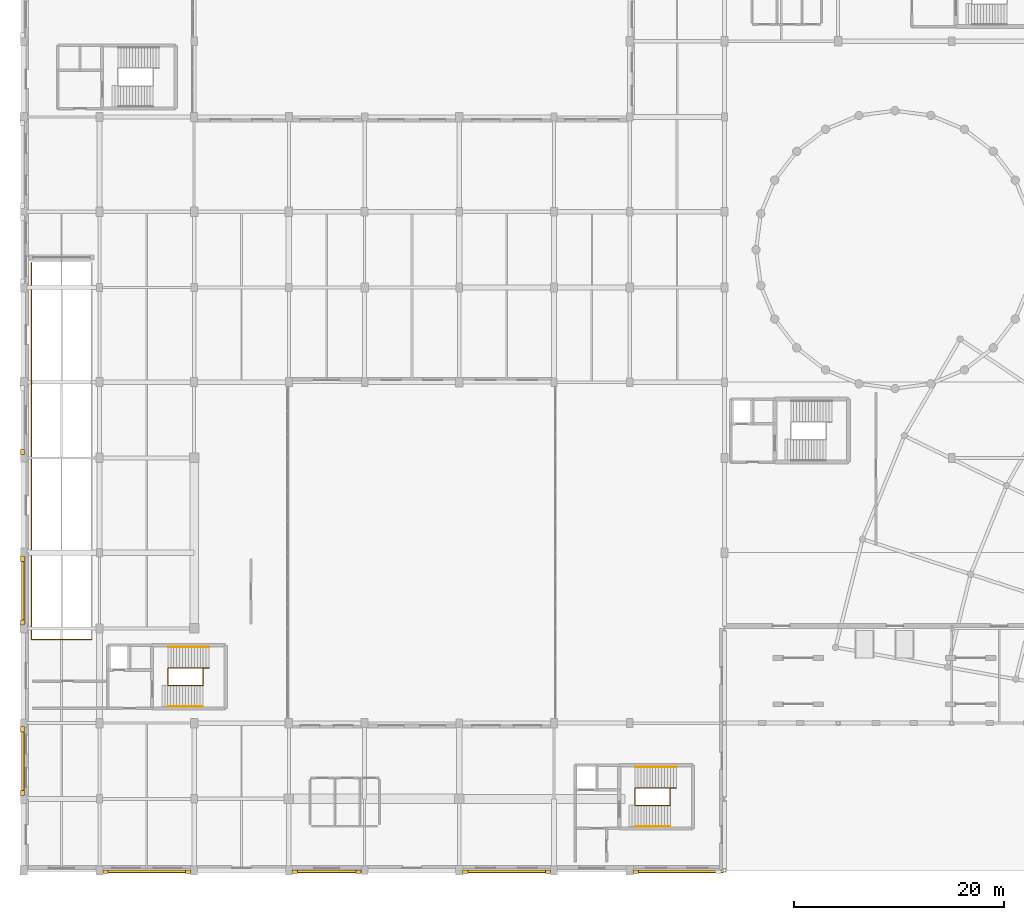
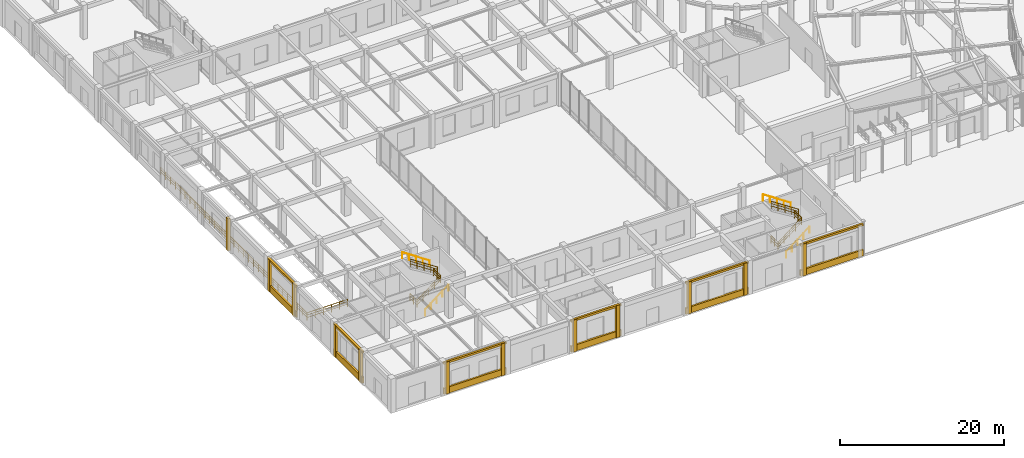
# One storey, part 58 of 64: 24 coverings, 14 railings.
"""IFC4 building model written with IfcOpenShell, lengths in metres."""

import ifcopenshell
import ifcopenshell.guid

model = None  # the IFC model being written
_history = None  # IfcOwnerHistory: only IFC2X3 demands one
_inside = {}  # id of a spatial element -> (the spatial element, [elements in it])
_under = {}  # id of a project, library or spatial element -> (it, [spatial elements below it])
_declared = {}  # id of a project -> (the project, [libraries it declares])
_typed = {}  # id of a type object -> (the type object, [elements of that type])
_made_of = {}  # id of a material, layer set ... -> (it, [elements and type objects made of it])


def new_model(schema):
    """Start an empty IFC model of exactly this schema.

    Asked for "IFC4X3", IfcOpenShell would pick the latest addendum, in which some entities
    have other attributes; the version numbers below select the first issue.
    IFC2X3 requires an IfcOwnerHistory on every rooted entity: one is made here for all.
    """
    global model, _history
    if schema == "IFC4X3":
        model = ifcopenshell.file(schema_version=(4, 3, 0, 0))
    else:
        model = ifcopenshell.file(schema=schema)
    _inside.clear()
    _under.clear()
    _declared.clear()
    _typed.clear()
    _made_of.clear()
    _history = None
    if model.schema == "IFC2X3":
        org = make("IfcOrganization", Name="unknown")
        user = make(
            "IfcPersonAndOrganization",
            ThePerson=make("IfcPerson", FamilyName="unknown"),
            TheOrganization=org,
        )
        app = make(
            "IfcApplication",
            ApplicationDeveloper=org,
            Version="unknown",
            ApplicationFullName="unknown",
            ApplicationIdentifier="unknown",
        )
        _history = make(
            "IfcOwnerHistory",
            OwningUser=user,
            OwningApplication=app,
            ChangeAction="ADDED",
            CreationDate=0,
        )
    return model


def make(cls, **values):
    """One entity of the class cls with the attributes given. An attribute that is None is left unset."""
    return model.create_entity(
        cls, **{name: value for name, value in values.items() if value is not None}
    )


def rooted(cls, **values):
    """An entity with a GlobalId (a new one), such as an element, a storey or a relation."""
    return make(cls, GlobalId=ifcopenshell.guid.new(), OwnerHistory=_history, **values)


def si_unit(unit_type, name, prefix=None):
    """IfcSIUnit, for example si_unit("LENGTHUNIT", "METRE", prefix="MILLI")."""
    return make("IfcSIUnit", UnitType=unit_type, Prefix=prefix, Name=name)


def assignment(units):
    """IfcUnitAssignment: the units of a project."""
    return None if units is None else make("IfcUnitAssignment", Units=units)


def point(xyz):
    """IfcCartesianPoint."""
    return None if xyz is None else make("IfcCartesianPoint", Coordinates=xyz)


def direction(xyz):
    """IfcDirection."""
    return None if xyz is None else make("IfcDirection", DirectionRatios=xyz)


def frame(location, z_axis=None, x_axis=None):
    """IfcAxis2Placement3D, a coordinate frame: its origin and axes. An axis left out is left unset."""
    return make(
        "IfcAxis2Placement3D",
        Location=point(location),
        Axis=direction(z_axis),
        RefDirection=direction(x_axis),
    )


def frame_2d(location, x_axis=None):
    """IfcAxis2Placement2D, a coordinate frame in the plane: its origin and x axis."""
    return make(
        "IfcAxis2Placement2D", Location=point(location), RefDirection=direction(x_axis)
    )


def origin():
    """The frame at (0, 0, 0) with its axes left unset."""
    return frame((0.0, 0.0, 0.0))


def origin_2d():
    """The frame at (0, 0) in the plane with its x axis left unset."""
    return frame_2d((0.0, 0.0))


def place(relative_to, where):
    """IfcLocalPlacement: puts the frame where relative to a parent placement (None: the world)."""
    return make(
        "IfcLocalPlacement", PlacementRelTo=relative_to, RelativePlacement=where
    )


def context(
    kind, dimensions, precision=None, world=None, true_north=None, identifier=None
):
    """IfcGeometricRepresentationContext, for example the 3D "Model" context."""
    return make(
        "IfcGeometricRepresentationContext",
        ContextIdentifier=identifier,
        ContextType=kind,
        CoordinateSpaceDimension=dimensions,
        Precision=precision,
        WorldCoordinateSystem=world,
        TrueNorth=true_north,
    )


def subcontext(parent, identifier, kind, view, scale=None):
    """IfcGeometricRepresentationSubContext, for example "Body" below "Model"."""
    return make(
        "IfcGeometricRepresentationSubContext",
        ContextIdentifier=identifier,
        ContextType=kind,
        ParentContext=parent,
        TargetScale=scale,
        TargetView=view,
    )


def project(units=None, contexts=None):
    """IfcProject with its units and contexts."""
    return rooted(
        "IfcProject",
        Name="project",
        RepresentationContexts=contexts,
        UnitsInContext=assignment(units),
    )


def spatial(cls, under=None, at=None, **own):
    """A site, building, storey or space (cls), placed at a placement, below another one or the project."""
    s = rooted(cls, ObjectPlacement=at, **own)
    if under is not None:
        _under.setdefault(under.id(), (under, []))[1].append(s)
    return s


def profile(cls, at=None, kind="AREA", **sizes):
    """A parametric profile (cls). Its sizes go by their IFC names, for example OverallWidth=200.0."""
    return make(cls, ProfileType=kind, Position=at, **sizes)


def rectangle(**sizes):
    """IfcRectangleProfileDef."""
    return profile("IfcRectangleProfileDef", **sizes)


def circle(**sizes):
    """IfcCircleProfileDef."""
    return profile("IfcCircleProfileDef", **sizes)


def extrude(swept, where, along, depth):
    """IfcExtrudedAreaSolid: the profile swept, set in the frame where, extruded along a direction by depth."""
    return make(
        "IfcExtrudedAreaSolid",
        SweptArea=swept,
        Position=where,
        ExtrudedDirection=direction(along),
        Depth=depth,
    )


def shape(context_of_items, identifier, shape_type, items):
    """IfcShapeRepresentation: the items that make up one representation, for example the "Body"."""
    return make(
        "IfcShapeRepresentation",
        ContextOfItems=context_of_items,
        RepresentationIdentifier=identifier,
        RepresentationType=shape_type,
        Items=items,
    )


def material(Name=None, Category=None):
    """IfcMaterial."""
    return make("IfcMaterial", Name=Name, Category=Category)


def layer(
    of_material, thickness, ventilated=None, Name=None, Category=None, Priority=None
):
    """IfcMaterialLayer: one layer of a wall or slab, of a material (None: an air gap)."""
    return make(
        "IfcMaterialLayer",
        Material=of_material,
        LayerThickness=thickness,
        IsVentilated=ventilated,
        Name=Name,
        Category=Category,
        Priority=Priority,
    )


def layer_set(layers, Name=None):
    """IfcMaterialLayerSet."""
    return make("IfcMaterialLayerSet", MaterialLayers=layers, LayerSetName=Name)


def made_of(thing, what):
    """Note that an element or type object is made of a material, layer set ...; save() writes the relation."""
    if what is not None:
        _made_of.setdefault(what.id(), (what, []))[1].append(thing)
    return thing


def type_object(cls, material=None, **own):
    """A type object (cls), such as IfcWallType, which elements share."""
    return made_of(rooted(cls, **own), material)


def element(
    cls,
    number,
    at=None,
    inside=None,
    cuts=None,
    type_object=None,
    material=None,
    context=None,
    identifier="Body",
    shape_type=None,
    held_by="IfcProductDefinitionShape",
    body=None,
    shapes=None,
    **own,
):
    """One element of the class cls, such as IfcWall. Its Tag is "e" and its number.

    at: its placement. inside: the storey or other place that contains it. cuts: it is an
    opening in that element (IfcRelVoidsElement). A single representation is given by context,
    identifier, shape_type and body (its items); several are given by shapes. held_by: the class
    of the entity that holds the representations. save() writes the other relations.
    """
    e = rooted(cls, Tag="e%d" % number, ObjectPlacement=at, **own)
    if body is not None:
        shapes = [shape(context, identifier, shape_type, body)]
    if shapes is not None:
        e.Representation = make(held_by, Representations=shapes)
    if inside is not None:
        _inside.setdefault(inside.id(), (inside, []))[1].append(e)
    if cuts is not None:
        rooted(
            "IfcRelVoidsElement", RelatingBuildingElement=cuts, RelatedOpeningElement=e
        )
    if type_object is not None:
        _typed.setdefault(type_object.id(), (type_object, []))[1].append(e)
    return made_of(e, material)


def aggregate(whole, parts):
    """IfcRelAggregates: a whole, such as a stair, and the parts it consists of."""
    return rooted("IfcRelAggregates", RelatingObject=whole, RelatedObjects=parts)


def save(model, path):
    """Write the relations noted so far, then the file.

    IfcRelAggregates (storeys below a building ...), IfcRelContainedInSpatialStructure (elements
    in a storey), IfcRelDefinesByType, IfcRelAssociatesMaterial and IfcRelDeclares: one each for
    every whole, place, type object, material and project.
    """
    for whole, parts in _under.values():
        aggregate(whole, parts)
    for where, things in _inside.values():
        rooted(
            "IfcRelContainedInSpatialStructure",
            RelatedElements=things,
            RelatingStructure=where,
        )
    for kind, things in _typed.values():
        rooted("IfcRelDefinesByType", RelatedObjects=things, RelatingType=kind)
    for what, things in _made_of.values():
        rooted("IfcRelAssociatesMaterial", RelatedObjects=things, RelatingMaterial=what)
    for by, libraries in _declared.values():
        rooted("IfcRelDeclares", RelatingContext=by, RelatedDefinitions=libraries)
    model.write(path)


model = new_model("IFC4")

# Units and contexts
model_context = context("Model", 3, precision=1e-05, world=origin(), true_north=direction((0.0, 1.0)))
body_context = subcontext(model_context, "Body", "Model", "MODEL_VIEW")
ifc_project = project(units=[si_unit("LENGTHUNIT", "METRE"), si_unit("AREAUNIT", "SQUARE_METRE"), si_unit("VOLUMEUNIT", "CUBIC_METRE"), si_unit("PLANEANGLEUNIT", "RADIAN"), si_unit("MASSUNIT", "GRAM", prefix="KILO")], contexts=[model_context])

# Site, building, storey
site_placement = place(None, origin())
site = spatial("IfcSite", under=ifc_project, at=site_placement, CompositionType="ELEMENT")
building_placement = place(site_placement, origin())
building = spatial("IfcBuilding", under=site, at=building_placement, Name="Clarverna Civic Hall", CompositionType="ELEMENT")
storey_placement = place(building_placement, origin())
storey = spatial("IfcBuildingStorey", under=building, at=storey_placement, Name="L00", CompositionType="ELEMENT", Elevation=0.0)

# Coverings
ifc_material_1 = material(Name="Montjuic Buff Limestone Ashlar Cladding", Category="masonry")
ifc_layer = layer(ifc_material_1, 0.070068359375)
ifc_layer_set = layer_set([ifc_layer], Name="Montjuic Buff Limestone Ashlar Cladding")
covering_type = type_object("IfcCoveringType", Name="CV-CL2", PredefinedType="CLADDING", material=ifc_layer_set)
covering_1_placement = place(storey_placement, frame((-0.080078125, 6.860107421875, 4.5), z_axis=(0.0, 0.0, 1.0), x_axis=(0.0, 1.0, 0.0)))
element("IfcCovering", 1, at=covering_1_placement, inside=storey, type_object=covering_type, Name="CV-CL2-001", PredefinedType="CLADDING", context=body_context, shape_type="SweptSolid", body=[
    extrude(rectangle(XDim=7.079833984375, YDim=0.280029296875, at=frame_2d((3.5400390625, 0.0))), origin(), (0.0, 0.0, 1.0), 0.300048828125),
])
covering_2_placement = place(storey_placement, frame((-0.080078125, 6.860107421875, 0.0), z_axis=(0.0, 0.0, 1.0), x_axis=(0.0, 1.0, 0.0)))
element("IfcCovering", 2, at=covering_2_placement, inside=storey, type_object=covering_type, Name="CV-CL2-002", PredefinedType="CLADDING", context=body_context, shape_type="SweptSolid", body=[
    extrude(rectangle(XDim=7.079833984375, YDim=0.260009765625, at=frame_2d((3.5400390625, 0.0))), origin(), (0.0, 0.0, 1.0), 0.919921875),
])
for number, where, z_axis, x_axis, name in (
    (3, (-0.110107421875, 7.1201171875, 0.0), (0.0, 0.0, 1.0), (0.0, 1.0, 0.0), "CV-CL2-003"),
    (4, (-0.110107421875, 13.179931640625, 0.0), (0.0, 0.0, 1.0), (0.0, 1.0, 0.0), "CV-CL2-004"),
):
    element("IfcCovering", number, at=place(storey_placement, frame(where, z_axis=z_axis, x_axis=x_axis)), inside=storey, type_object=covering_type, Name=name, PredefinedType="CLADDING", context=body_context, shape_type="SweptSolid", body=[
        extrude(rectangle(XDim=0.5, YDim=0.340087890625, at=frame_2d((0.25, 0.0))), origin(), (0.0, 0.0, 1.0), 4.780029296875),
    ])
covering_3_placement = place(storey_placement, frame((-0.080078125, 23.06005859375, 4.5), z_axis=(0.0, 0.0, 1.0), x_axis=(0.0, 1.0, 0.0)))
element("IfcCovering", 5, at=covering_3_placement, inside=storey, type_object=covering_type, Name="CV-CL2-005", PredefinedType="CLADDING", context=body_context, shape_type="SweptSolid", body=[
    extrude(rectangle(XDim=7.079833984375, YDim=0.280029296875, at=frame_2d((3.5400390625, 0.0))), origin(), (0.0, 0.0, 1.0), 0.300048828125),
])
covering_4_placement = place(storey_placement, frame((-0.080078125, 23.06005859375, 0.0), z_axis=(0.0, 0.0, 1.0), x_axis=(0.0, 1.0, 0.0)))
element("IfcCovering", 6, at=covering_4_placement, inside=storey, type_object=covering_type, Name="CV-CL2-006", PredefinedType="CLADDING", context=body_context, shape_type="SweptSolid", body=[
    extrude(rectangle(XDim=7.079833984375, YDim=0.260009765625, at=frame_2d((3.5400390625, 0.0))), origin(), (0.0, 0.0, 1.0), 0.919921875),
])
for number, where, z_axis, x_axis, name in (
    (7, (-0.110107421875, 23.320068359375, 0.0), (0.0, 0.0, 1.0), (0.0, 1.0, 0.0), "CV-CL2-007"),
    (8, (-0.110107421875, 29.3798828125, 0.0), (0.0, 0.0, 1.0), (0.0, 1.0, 0.0), "CV-CL2-008"),
    (9, (-0.110107421875, 39.52001953125, 0.0), (0.0, 0.0, 1.0), (0.0, 1.0, 0.0), "CV-CL2-011"),
):
    element("IfcCovering", number, at=place(storey_placement, frame(where, z_axis=z_axis, x_axis=x_axis)), inside=storey, type_object=covering_type, Name=name, PredefinedType="CLADDING", context=body_context, shape_type="SweptSolid", body=[
        extrude(rectangle(XDim=0.5, YDim=0.340087890625, at=frame_2d((0.25, 0.0))), origin(), (0.0, 0.0, 1.0), 4.780029296875),
    ])
covering_5_placement = place(storey_placement, frame((66.514892578125, -0.080078125, 4.5), z_axis=(0.0, 0.0, 1.0), x_axis=(-1.0, 0.0, 0.0)))
element("IfcCovering", 10, at=covering_5_placement, inside=storey, type_object=covering_type, Name="CV-CL2-140", PredefinedType="CLADDING", context=body_context, shape_type="SweptSolid", body=[
    extrude(rectangle(XDim=8.85498046875, YDim=0.280029296875, at=frame_2d((4.427490234375, 0.0))), origin(), (0.0, 0.0, 1.0), 0.300048828125),
])
covering_6_placement = place(storey_placement, frame((66.514892578125, -0.080078125, 0.0), z_axis=(0.0, 0.0, 1.0), x_axis=(-1.0, 0.0, 0.0)))
element("IfcCovering", 11, at=covering_6_placement, inside=storey, type_object=covering_type, Name="CV-CL2-141", PredefinedType="CLADDING", context=body_context, shape_type="SweptSolid", body=[
    extrude(rectangle(XDim=8.85498046875, YDim=0.260009765625, at=frame_2d((4.427490234375, 0.0))), origin(), (0.0, 0.0, 1.0), 0.919921875),
])
covering_7_placement = place(storey_placement, frame((58.419921875, -0.110107421875, 0.0), z_axis=(0.0, 0.0, 1.0), x_axis=(-1.0, 0.0, 0.0)))
element("IfcCovering", 12, at=covering_7_placement, inside=storey, type_object=covering_type, Name="CV-CL2-143", PredefinedType="CLADDING", context=body_context, shape_type="SweptSolid", body=[
    extrude(rectangle(XDim=0.5, YDim=0.340087890625, at=frame_2d((0.25, 0.0))), origin(), (0.0, 0.0, 1.0), 4.780029296875),
])
covering_8_placement = place(storey_placement, frame((50.340087890625, -0.080078125, 4.5), z_axis=(0.0, 0.0, 1.0), x_axis=(-1.0, 0.0, 0.0)))
element("IfcCovering", 13, at=covering_8_placement, inside=storey, type_object=covering_type, Name="CV-CL2-144", PredefinedType="CLADDING", context=body_context, shape_type="SweptSolid", body=[
    extrude(rectangle(XDim=8.880126953125, YDim=0.280029296875, at=frame_2d((4.43994140625, 0.0))), origin(), (0.0, 0.0, 1.0), 0.300048828125),
])
covering_9_placement = place(storey_placement, frame((50.340087890625, -0.080078125, 0.0), z_axis=(0.0, 0.0, 1.0), x_axis=(-1.0, 0.0, 0.0)))
element("IfcCovering", 14, at=covering_9_placement, inside=storey, type_object=covering_type, Name="CV-CL2-145", PredefinedType="CLADDING", context=body_context, shape_type="SweptSolid", body=[
    extrude(rectangle(XDim=8.880126953125, YDim=0.260009765625, at=frame_2d((4.43994140625, 0.0))), origin(), (0.0, 0.0, 1.0), 0.919921875),
])
for number, where, z_axis, x_axis, name in (
    (15, (50.080078125, -0.110107421875, 0.0), (0.0, 0.0, 1.0), (-1.0, 0.0, 0.0), "CV-CL2-146"),
    (16, (42.219970703125, -0.110107421875, 0.0), (0.0, 0.0, 1.0), (-1.0, 0.0, 0.0), "CV-CL2-147"),
):
    element("IfcCovering", number, at=place(storey_placement, frame(where, z_axis=z_axis, x_axis=x_axis)), inside=storey, type_object=covering_type, Name=name, PredefinedType="CLADDING", context=body_context, shape_type="SweptSolid", body=[
        extrude(rectangle(XDim=0.5, YDim=0.340087890625, at=frame_2d((0.25, 0.0))), origin(), (0.0, 0.0, 1.0), 4.780029296875),
    ])
covering_10_placement = place(storey_placement, frame((32.340087890625, -0.080078125, 4.5), z_axis=(0.0, 0.0, 1.0), x_axis=(-1.0, 0.0, 0.0)))
element("IfcCovering", 17, at=covering_10_placement, inside=storey, type_object=covering_type, Name="CV-CL2-148", PredefinedType="CLADDING", context=body_context, shape_type="SweptSolid", body=[
    extrude(rectangle(XDim=7.080078125, YDim=0.280029296875, at=frame_2d((3.5400390625, 0.0))), origin(), (0.0, 0.0, 1.0), 0.300048828125),
])
covering_11_placement = place(storey_placement, frame((32.340087890625, -0.080078125, 0.0), z_axis=(0.0, 0.0, 1.0), x_axis=(-1.0, 0.0, 0.0)))
element("IfcCovering", 18, at=covering_11_placement, inside=storey, type_object=covering_type, Name="CV-CL2-149", PredefinedType="CLADDING", context=body_context, shape_type="SweptSolid", body=[
    extrude(rectangle(XDim=7.080078125, YDim=0.260009765625, at=frame_2d((3.5400390625, 0.0))), origin(), (0.0, 0.0, 1.0), 0.919921875),
])
for number, where, z_axis, x_axis, name in (
    (19, (32.080078125, -0.110107421875, 0.0), (0.0, 0.0, 1.0), (-1.0, 0.0, 0.0), "CV-CL2-150"),
    (20, (26.02001953125, -0.110107421875, 0.0), (0.0, 0.0, 1.0), (-1.0, 0.0, 0.0), "CV-CL2-151"),
):
    element("IfcCovering", number, at=place(storey_placement, frame(where, z_axis=z_axis, x_axis=x_axis)), inside=storey, type_object=covering_type, Name=name, PredefinedType="CLADDING", context=body_context, shape_type="SweptSolid", body=[
        extrude(rectangle(XDim=0.5, YDim=0.340087890625, at=frame_2d((0.25, 0.0))), origin(), (0.0, 0.0, 1.0), 4.780029296875),
    ])
covering_12_placement = place(storey_placement, frame((16.139892578125, -0.080078125, 4.5), z_axis=(0.0, 0.0, 1.0), x_axis=(-1.0, 0.0, 0.0)))
element("IfcCovering", 21, at=covering_12_placement, inside=storey, type_object=covering_type, Name="CV-CL2-152", PredefinedType="CLADDING", context=body_context, shape_type="SweptSolid", body=[
    extrude(rectangle(XDim=8.8798828125, YDim=0.280029296875, at=frame_2d((4.43994140625, 0.0))), origin(), (0.0, 0.0, 1.0), 0.300048828125),
])
covering_13_placement = place(storey_placement, frame((16.139892578125, -0.080078125, 0.0), z_axis=(0.0, 0.0, 1.0), x_axis=(-1.0, 0.0, 0.0)))
element("IfcCovering", 22, at=covering_13_placement, inside=storey, type_object=covering_type, Name="CV-CL2-153", PredefinedType="CLADDING", context=body_context, shape_type="SweptSolid", body=[
    extrude(rectangle(XDim=8.8798828125, YDim=0.260009765625, at=frame_2d((4.43994140625, 0.0))), origin(), (0.0, 0.0, 1.0), 0.919921875),
])
for number, where, z_axis, x_axis, name in (
    (23, (15.8798828125, -0.110107421875, 0.0), (0.0, 0.0, 1.0), (-1.0, 0.0, 0.0), "CV-CL2-154"),
    (24, (8.02001953125, -0.110107421875, 0.0), (0.0, 0.0, 1.0), (-1.0, 0.0, 0.0), "CV-CL2-155"),
):
    element("IfcCovering", number, at=place(storey_placement, frame(where, z_axis=z_axis, x_axis=x_axis)), inside=storey, type_object=covering_type, Name=name, PredefinedType="CLADDING", context=body_context, shape_type="SweptSolid", body=[
        extrude(rectangle(XDim=0.5, YDim=0.340087890625, at=frame_2d((0.25, 0.0))), origin(), (0.0, 0.0, 1.0), 4.780029296875),
    ])

# Railings
ifc_material_2 = material(Name="Anodised Bronze Architectural Balustrade")
railing_type_1 = type_object("IfcRailingType", Name="GR-02", PredefinedType="BALUSTRADE", material=ifc_material_2)
railing_1_placement = place(storey_placement, frame((0.739990234375, 21.93994140625, 0.0)))
element("IfcRailing", 25, at=railing_1_placement, inside=storey, type_object=railing_type_1, Name="GR-02-001", PredefinedType="BALUSTRADE", context=body_context, shape_type="SweptSolid", body=[
    extrude(circle(Radius=0.02392578125, at=origin_2d()), frame((0.0, 0.0, 1.09619140625), z_axis=(1.0, 0.0, 0.0), x_axis=(0.0, 1.0, 0.0)), (0.0, 0.0, 1.0), 5.719970703125),
    extrude(circle(Radius=0.011962890625, at=origin_2d()), frame((0.0, 0.0, 0.39208984375), z_axis=(1.0, 0.0, 0.0), x_axis=(0.0, 1.0, 0.0)), (0.0, 0.0, 1.0), 5.719970703125),
    extrude(circle(Radius=0.011962890625, at=origin_2d()), frame((0.0, 0.0, 0.76171875), z_axis=(1.0, 0.0, 0.0), x_axis=(0.0, 1.0, 0.0)), (0.0, 0.0, 1.0), 5.719970703125),
    extrude(circle(Radius=0.02099609375, at=origin_2d()), origin(), (0.0, 0.0, 1.0), 1.072021484375),
    extrude(circle(Radius=0.02099609375, at=origin_2d()), frame((1.14404296875, 0.0, 0.0)), (0.0, 0.0, 1.0), 1.072021484375),
    extrude(circle(Radius=0.02099609375, at=origin_2d()), frame((2.2880859375, 0.0, 0.0)), (0.0, 0.0, 1.0), 1.072021484375),
    extrude(circle(Radius=0.02099609375, at=origin_2d()), frame((3.431884765625, 0.0, 0.0)), (0.0, 0.0, 1.0), 1.072021484375),
    extrude(circle(Radius=0.02099609375, at=origin_2d()), frame((4.575927734375, 0.0, 0.0)), (0.0, 0.0, 1.0), 1.072021484375),
    extrude(circle(Radius=0.02099609375, at=origin_2d()), frame((5.719970703125, 0.0, 0.0)), (0.0, 0.0, 1.0), 1.072021484375),
])
railing_2_placement = place(storey_placement, frame((0.739990234375, 21.93994140625, 0.0)))
element("IfcRailing", 26, at=railing_2_placement, inside=storey, type_object=railing_type_1, Name="GR-02-003", PredefinedType="BALUSTRADE", context=body_context, shape_type="SweptSolid", body=[
    extrude(circle(Radius=0.02392578125, at=origin_2d()), frame((0.0, 0.0, 1.09619140625), z_axis=(0.0, 1.0, 0.0), x_axis=(-1.0, 0.0, 0.0)), (0.0, 0.0, 1.0), 35.81005859375),
    extrude(circle(Radius=0.011962890625, at=origin_2d()), frame((0.0, 0.0, 0.39208984375), z_axis=(0.0, 1.0, 0.0), x_axis=(-1.0, 0.0, 0.0)), (0.0, 0.0, 1.0), 35.81005859375),
    extrude(circle(Radius=0.011962890625, at=origin_2d()), frame((0.0, 0.0, 0.76171875), z_axis=(0.0, 1.0, 0.0), x_axis=(-1.0, 0.0, 0.0)), (0.0, 0.0, 1.0), 35.81005859375),
    extrude(circle(Radius=0.02099609375, at=origin_2d()), origin(), (0.0, 0.0, 1.0), 1.072021484375),
    extrude(circle(Radius=0.02099609375, at=origin_2d()), frame((0.0, 1.193603515625, 0.0)), (0.0, 0.0, 1.0), 1.072021484375),
    extrude(circle(Radius=0.02099609375, at=origin_2d()), frame((0.0, 2.387451171875, 0.0)), (0.0, 0.0, 1.0), 1.072021484375),
    extrude(circle(Radius=0.02099609375, at=origin_2d()), frame((0.0, 3.5810546875, 0.0)), (0.0, 0.0, 1.0), 1.072021484375),
    extrude(circle(Radius=0.02099609375, at=origin_2d()), frame((0.0, 4.774658203125, 0.0)), (0.0, 0.0, 1.0), 1.072021484375),
    extrude(circle(Radius=0.02099609375, at=origin_2d()), frame((0.0, 5.96826171875, 0.0)), (0.0, 0.0, 1.0), 1.072021484375),
    extrude(circle(Radius=0.02099609375, at=origin_2d()), frame((0.0, 7.162109375, 0.0)), (0.0, 0.0, 1.0), 1.072021484375),
    extrude(circle(Radius=0.02099609375, at=origin_2d()), frame((0.0, 8.355712890625, 0.0)), (0.0, 0.0, 1.0), 1.072021484375),
    extrude(circle(Radius=0.02099609375, at=origin_2d()), frame((0.0, 9.54931640625, 0.0)), (0.0, 0.0, 1.0), 1.072021484375),
    extrude(circle(Radius=0.02099609375, at=origin_2d()), frame((0.0, 10.742919921875, 0.0)), (0.0, 0.0, 1.0), 1.072021484375),
    extrude(circle(Radius=0.02099609375, at=origin_2d()), frame((0.0, 11.936767578125, 0.0)), (0.0, 0.0, 1.0), 1.072021484375),
    extrude(circle(Radius=0.02099609375, at=origin_2d()), frame((0.0, 13.13037109375, 0.0)), (0.0, 0.0, 1.0), 1.072021484375),
    extrude(circle(Radius=0.02099609375, at=origin_2d()), frame((0.0, 14.323974609375, 0.0)), (0.0, 0.0, 1.0), 1.072021484375),
    extrude(circle(Radius=0.02099609375, at=origin_2d()), frame((0.0, 15.517578125, 0.0)), (0.0, 0.0, 1.0), 1.072021484375),
    extrude(circle(Radius=0.02099609375, at=origin_2d()), frame((0.0, 16.71142578125, 0.0)), (0.0, 0.0, 1.0), 1.072021484375),
    extrude(circle(Radius=0.02099609375, at=origin_2d()), frame((0.0, 17.905029296875, 0.0)), (0.0, 0.0, 1.0), 1.072021484375),
    extrude(circle(Radius=0.02099609375, at=origin_2d()), frame((0.0, 19.0986328125, 0.0)), (0.0, 0.0, 1.0), 1.072021484375),
    extrude(circle(Radius=0.02099609375, at=origin_2d()), frame((0.0, 20.29248046875, 0.0)), (0.0, 0.0, 1.0), 1.072021484375),
    extrude(circle(Radius=0.02099609375, at=origin_2d()), frame((0.0, 21.486083984375, 0.0)), (0.0, 0.0, 1.0), 1.072021484375),
    extrude(circle(Radius=0.02099609375, at=origin_2d()), frame((0.0, 22.6796875, 0.0)), (0.0, 0.0, 1.0), 1.072021484375),
    extrude(circle(Radius=0.02099609375, at=origin_2d()), frame((0.0, 23.873291015625, 0.0)), (0.0, 0.0, 1.0), 1.072021484375),
    extrude(circle(Radius=0.02099609375, at=origin_2d()), frame((0.0, 25.067138671875, 0.0)), (0.0, 0.0, 1.0), 1.072021484375),
    extrude(circle(Radius=0.02099609375, at=origin_2d()), frame((0.0, 26.2607421875, 0.0)), (0.0, 0.0, 1.0), 1.072021484375),
    extrude(circle(Radius=0.02099609375, at=origin_2d()), frame((0.0, 27.454345703125, 0.0)), (0.0, 0.0, 1.0), 1.072021484375),
    extrude(circle(Radius=0.02099609375, at=origin_2d()), frame((0.0, 28.64794921875, 0.0)), (0.0, 0.0, 1.0), 1.072021484375),
    extrude(circle(Radius=0.02099609375, at=origin_2d()), frame((0.0, 29.841796875, 0.0)), (0.0, 0.0, 1.0), 1.072021484375),
    extrude(circle(Radius=0.02099609375, at=origin_2d()), frame((0.0, 31.035400390625, 0.0)), (0.0, 0.0, 1.0), 1.072021484375),
    extrude(circle(Radius=0.02099609375, at=origin_2d()), frame((0.0, 32.22900390625, 0.0)), (0.0, 0.0, 1.0), 1.072021484375),
    extrude(circle(Radius=0.02099609375, at=origin_2d()), frame((0.0, 33.422607421875, 0.0)), (0.0, 0.0, 1.0), 1.072021484375),
    extrude(circle(Radius=0.02099609375, at=origin_2d()), frame((0.0, 34.616455078125, 0.0)), (0.0, 0.0, 1.0), 1.072021484375),
    extrude(circle(Radius=0.02099609375, at=origin_2d()), frame((0.0, 35.81005859375, 0.0)), (0.0, 0.0, 1.0), 1.072021484375),
])
railing_3_placement = place(storey_placement, frame((58.14990234375, 6.159912109375, 0.0)))
element("IfcRailing", 27, at=railing_3_placement, inside=storey, type_object=railing_type_1, Name="GR-02-123", PredefinedType="BALUSTRADE", context=body_context, shape_type="SweptSolid", body=[
    extrude(circle(Radius=0.02392578125, at=origin_2d()), frame((0.0, 0.0, 1.09619140625), z_axis=(0.789942972042, 0.0, 0.613180316809), x_axis=(0.0, 1.0, 0.0)), (0.0, 0.0, 1.0), 4.15869140625),
    extrude(circle(Radius=0.011962890625, at=origin_2d()), frame((0.0, 0.0, 0.39208984375), z_axis=(0.789942972042, 0.0, 0.613180316809), x_axis=(0.0, 1.0, 0.0)), (0.0, 0.0, 1.0), 4.15869140625),
    extrude(circle(Radius=0.011962890625, at=origin_2d()), frame((0.0, 0.0, 0.76171875), z_axis=(0.789942972042, 0.0, 0.613180316809), x_axis=(0.0, 1.0, 0.0)), (0.0, 0.0, 1.0), 4.15869140625),
    extrude(circle(Radius=0.02099609375, at=origin_2d()), origin(), (0.0, 0.0, 1.0), 1.072021484375),
    extrude(circle(Radius=0.02099609375, at=origin_2d()), frame((0.8212890625, 0.0, 0.637451171875)), (0.0, 0.0, 1.0), 1.072021484375),
    extrude(circle(Radius=0.02099609375, at=origin_2d()), frame((1.642578125, 0.0, 1.27490234375)), (0.0, 0.0, 1.0), 1.072021484375),
    extrude(circle(Radius=0.02099609375, at=origin_2d()), frame((2.4638671875, 0.0, 1.91259765625)), (0.0, 0.0, 1.0), 1.072021484375),
    extrude(circle(Radius=0.02099609375, at=origin_2d()), frame((3.28515625, 0.0, 2.550048828125)), (0.0, 0.0, 1.0), 1.072021484375),
])
railing_4_placement = place(storey_placement, frame((61.43505859375, 6.159912109375, 2.550048828125)))
element("IfcRailing", 28, at=railing_4_placement, inside=storey, type_object=railing_type_1, Name="GR-02-124", PredefinedType="BALUSTRADE", context=body_context, shape_type="SweptSolid", body=[
    extrude(circle(Radius=0.02392578125, at=origin_2d()), frame((0.0, 0.0, 1.09619140625), z_axis=(0.0, 1.0, 0.0), x_axis=(-1.0, 0.0, 0.0)), (0.0, 0.0, 1.0), 1.68017578125),
    extrude(circle(Radius=0.011962890625, at=origin_2d()), frame((0.0, 0.0, 0.39208984375), z_axis=(0.0, 1.0, 0.0), x_axis=(-1.0, 0.0, 0.0)), (0.0, 0.0, 1.0), 1.68017578125),
    extrude(circle(Radius=0.011962890625, at=origin_2d()), frame((0.0, 0.0, 0.76171875), z_axis=(0.0, 1.0, 0.0), x_axis=(-1.0, 0.0, 0.0)), (0.0, 0.0, 1.0), 1.68017578125),
    extrude(circle(Radius=0.02099609375, at=origin_2d()), origin(), (0.0, 0.0, 1.0), 1.072021484375),
    extrude(circle(Radius=0.02099609375, at=origin_2d()), frame((0.0, 0.840087890625, 0.0)), (0.0, 0.0, 1.0), 1.072021484375),
    extrude(circle(Radius=0.02099609375, at=origin_2d()), frame((0.0, 1.68017578125, 0.0)), (0.0, 0.0, 1.0), 1.072021484375),
])
railing_5_placement = place(storey_placement, frame((62.0048828125, 7.840087890625, 2.550048828125)))
element("IfcRailing", 29, at=railing_5_placement, inside=storey, type_object=railing_type_1, Name="GR-02-125", PredefinedType="BALUSTRADE", context=body_context, shape_type="SweptSolid", body=[
    extrude(circle(Radius=0.02392578125, at=origin_2d()), frame((0.0, 0.0, 1.09619140625), z_axis=(-0.834035861889, 0.0, 0.551710232896), x_axis=(0.0, -1.0, 0.0)), (0.0, 0.0, 1.0), 4.6220703125),
    extrude(circle(Radius=0.011962890625, at=origin_2d()), frame((0.0, 0.0, 0.39208984375), z_axis=(-0.834035861889, 0.0, 0.551710232896), x_axis=(0.0, -1.0, 0.0)), (0.0, 0.0, 1.0), 4.6220703125),
    extrude(circle(Radius=0.011962890625, at=origin_2d()), frame((0.0, 0.0, 0.76171875), z_axis=(-0.834035861889, 0.0, 0.551710232896), x_axis=(0.0, -1.0, 0.0)), (0.0, 0.0, 1.0), 4.6220703125),
    extrude(circle(Radius=0.02099609375, at=origin_2d()), origin(), (0.0, 0.0, 1.0), 1.072021484375),
    extrude(circle(Radius=0.02099609375, at=origin_2d()), frame((-0.9638671875, 0.0, 0.637451171875)), (0.0, 0.0, 1.0), 1.072021484375),
    extrude(circle(Radius=0.02099609375, at=origin_2d()), frame((-1.927490234375, 0.0, 1.27490234375)), (0.0, 0.0, 1.0), 1.072021484375),
    extrude(circle(Radius=0.02099609375, at=origin_2d()), frame((-2.89111328125, 0.0, 1.91259765625)), (0.0, 0.0, 1.0), 1.072021484375),
    extrude(circle(Radius=0.02099609375, at=origin_2d()), frame((-3.85498046875, 0.0, 2.550048828125)), (0.0, 0.0, 1.0), 1.072021484375),
])
railing_6_placement = place(storey_placement, frame((58.110107421875, 6.199951171875, 0.0)))
element("IfcRailing", 30, at=railing_6_placement, inside=storey, type_object=railing_type_1, Name="GR-02-126", PredefinedType="BALUSTRADE", context=body_context, shape_type="SweptSolid", body=[
    extrude(circle(Radius=0.02392578125, at=origin_2d()), frame((0.0, 0.0, 1.09619140625), z_axis=(0.0, 1.0, 0.0), x_axis=(-1.0, 0.0, 0.0)), (0.0, 0.0, 1.0), 1.60009765625),
    extrude(circle(Radius=0.011962890625, at=origin_2d()), frame((0.0, 0.0, 0.39208984375), z_axis=(0.0, 1.0, 0.0), x_axis=(-1.0, 0.0, 0.0)), (0.0, 0.0, 1.0), 1.60009765625),
    extrude(circle(Radius=0.011962890625, at=origin_2d()), frame((0.0, 0.0, 0.76171875), z_axis=(0.0, 1.0, 0.0), x_axis=(-1.0, 0.0, 0.0)), (0.0, 0.0, 1.0), 1.60009765625),
    extrude(circle(Radius=0.02099609375, at=origin_2d()), origin(), (0.0, 0.0, 1.0), 1.072021484375),
    extrude(circle(Radius=0.02099609375, at=origin_2d()), frame((0.0, 0.800048828125, 0.0)), (0.0, 0.0, 1.0), 1.072021484375),
    extrude(circle(Radius=0.02099609375, at=origin_2d()), frame((0.0, 1.60009765625, 0.0)), (0.0, 0.0, 1.0), 1.072021484375),
])
railing_7_placement = place(storey_placement, frame((13.75, 17.56005859375, 0.0)))
element("IfcRailing", 31, at=railing_7_placement, inside=storey, type_object=railing_type_1, Name="GR-02-139", PredefinedType="BALUSTRADE", context=body_context, shape_type="SweptSolid", body=[
    extrude(circle(Radius=0.02392578125, at=origin_2d()), frame((0.0, 0.0, 1.09619140625), z_axis=(0.78992089777, 0.0, 0.613208753416), x_axis=(0.0, 1.0, 0.0)), (0.0, 0.0, 1.0), 4.158447265625),
    extrude(circle(Radius=0.011962890625, at=origin_2d()), frame((0.0, 0.0, 0.39208984375), z_axis=(0.78992089777, 0.0, 0.613208753416), x_axis=(0.0, 1.0, 0.0)), (0.0, 0.0, 1.0), 4.158447265625),
    extrude(circle(Radius=0.011962890625, at=origin_2d()), frame((0.0, 0.0, 0.76171875), z_axis=(0.78992089777, 0.0, 0.613208753416), x_axis=(0.0, 1.0, 0.0)), (0.0, 0.0, 1.0), 4.158447265625),
    extrude(circle(Radius=0.02099609375, at=origin_2d()), origin(), (0.0, 0.0, 1.0), 1.072021484375),
    extrude(circle(Radius=0.02099609375, at=origin_2d()), frame((0.8212890625, 0.0, 0.637451171875)), (0.0, 0.0, 1.0), 1.072021484375),
    extrude(circle(Radius=0.02099609375, at=origin_2d()), frame((1.642578125, 0.0, 1.27490234375)), (0.0, 0.0, 1.0), 1.072021484375),
    extrude(circle(Radius=0.02099609375, at=origin_2d()), frame((2.463623046875, 0.0, 1.91259765625)), (0.0, 0.0, 1.0), 1.072021484375),
    extrude(circle(Radius=0.02099609375, at=origin_2d()), frame((3.284912109375, 0.0, 2.550048828125)), (0.0, 0.0, 1.0), 1.072021484375),
])
railing_8_placement = place(storey_placement, frame((17.034912109375, 17.56005859375, 2.550048828125)))
element("IfcRailing", 32, at=railing_8_placement, inside=storey, type_object=railing_type_1, Name="GR-02-140", PredefinedType="BALUSTRADE", context=body_context, shape_type="SweptSolid", body=[
    extrude(circle(Radius=0.02392578125, at=origin_2d()), frame((0.0, 0.0, 1.09619140625), z_axis=(0.0, 1.0, 0.0), x_axis=(-1.0, 0.0, 0.0)), (0.0, 0.0, 1.0), 1.679931640625),
    extrude(circle(Radius=0.011962890625, at=origin_2d()), frame((0.0, 0.0, 0.39208984375), z_axis=(0.0, 1.0, 0.0), x_axis=(-1.0, 0.0, 0.0)), (0.0, 0.0, 1.0), 1.679931640625),
    extrude(circle(Radius=0.011962890625, at=origin_2d()), frame((0.0, 0.0, 0.76171875), z_axis=(0.0, 1.0, 0.0), x_axis=(-1.0, 0.0, 0.0)), (0.0, 0.0, 1.0), 1.679931640625),
    extrude(circle(Radius=0.02099609375, at=origin_2d()), origin(), (0.0, 0.0, 1.0), 1.072021484375),
    extrude(circle(Radius=0.02099609375, at=origin_2d()), frame((0.0, 0.83984375, 0.0)), (0.0, 0.0, 1.0), 1.072021484375),
    extrude(circle(Radius=0.02099609375, at=origin_2d()), frame((0.0, 1.679931640625, 0.0)), (0.0, 0.0, 1.0), 1.072021484375),
])
railing_9_placement = place(storey_placement, frame((17.60498046875, 19.239990234375, 2.550048828125)))
element("IfcRailing", 33, at=railing_9_placement, inside=storey, type_object=railing_type_1, Name="GR-02-141", PredefinedType="BALUSTRADE", context=body_context, shape_type="SweptSolid", body=[
    extrude(circle(Radius=0.02392578125, at=origin_2d()), frame((0.0, 0.0, 1.09619140625), z_axis=(-0.834035861889, 0.0, 0.551710232896), x_axis=(0.0, -1.0, 0.0)), (0.0, 0.0, 1.0), 4.6220703125),
    extrude(circle(Radius=0.011962890625, at=origin_2d()), frame((0.0, 0.0, 0.39208984375), z_axis=(-0.834035861889, 0.0, 0.551710232896), x_axis=(0.0, -1.0, 0.0)), (0.0, 0.0, 1.0), 4.6220703125),
    extrude(circle(Radius=0.011962890625, at=origin_2d()), frame((0.0, 0.0, 0.76171875), z_axis=(-0.834035861889, 0.0, 0.551710232896), x_axis=(0.0, -1.0, 0.0)), (0.0, 0.0, 1.0), 4.6220703125),
    extrude(circle(Radius=0.02099609375, at=origin_2d()), origin(), (0.0, 0.0, 1.0), 1.072021484375),
    extrude(circle(Radius=0.02099609375, at=origin_2d()), frame((-0.9638671875, 0.0, 0.637451171875)), (0.0, 0.0, 1.0), 1.072021484375),
    extrude(circle(Radius=0.02099609375, at=origin_2d()), frame((-1.927490234375, 0.0, 1.27490234375)), (0.0, 0.0, 1.0), 1.072021484375),
    extrude(circle(Radius=0.02099609375, at=origin_2d()), frame((-2.89111328125, 0.0, 1.91259765625)), (0.0, 0.0, 1.0), 1.072021484375),
    extrude(circle(Radius=0.02099609375, at=origin_2d()), frame((-3.85498046875, 0.0, 2.550048828125)), (0.0, 0.0, 1.0), 1.072021484375),
])
railing_10_placement = place(storey_placement, frame((13.7099609375, 17.60009765625, 0.0)))
element("IfcRailing", 34, at=railing_10_placement, inside=storey, type_object=railing_type_1, Name="GR-02-142", PredefinedType="BALUSTRADE", context=body_context, shape_type="SweptSolid", body=[
    extrude(circle(Radius=0.02392578125, at=origin_2d()), frame((0.0, 0.0, 1.09619140625), z_axis=(0.0, 1.0, 0.0), x_axis=(-1.0, 0.0, 0.0)), (0.0, 0.0, 1.0), 1.599853515625),
    extrude(circle(Radius=0.011962890625, at=origin_2d()), frame((0.0, 0.0, 0.39208984375), z_axis=(0.0, 1.0, 0.0), x_axis=(-1.0, 0.0, 0.0)), (0.0, 0.0, 1.0), 1.599853515625),
    extrude(circle(Radius=0.011962890625, at=origin_2d()), frame((0.0, 0.0, 0.76171875), z_axis=(0.0, 1.0, 0.0), x_axis=(-1.0, 0.0, 0.0)), (0.0, 0.0, 1.0), 1.599853515625),
    extrude(circle(Radius=0.02099609375, at=origin_2d()), origin(), (0.0, 0.0, 1.0), 1.072021484375),
    extrude(circle(Radius=0.02099609375, at=origin_2d()), frame((0.0, 0.7998046875, 0.0)), (0.0, 0.0, 1.0), 1.072021484375),
    extrude(circle(Radius=0.02099609375, at=origin_2d()), frame((0.0, 1.599853515625, 0.0)), (0.0, 0.0, 1.0), 1.072021484375),
])
ifc_material_3 = material(Name="Anodised Bronze Continuous Handrail")
railing_type_2 = type_object("IfcRailingType", Name="HR-01", PredefinedType="HANDRAIL", material=ifc_material_3)
railing_11_placement = place(storey_placement, frame((58.14990234375, 4.179931640625, 0.0)))
element("IfcRailing", 35, at=railing_11_placement, inside=storey, type_object=railing_type_2, Name="HR-01-061", PredefinedType="HANDRAIL", context=body_context, shape_type="SweptSolid", body=[
    extrude(circle(Radius=0.02392578125, at=origin_2d()), frame((0.0, 0.0, 0.89599609375), z_axis=(0.788568541041, 0.0, 0.614946872568), x_axis=(0.0, 1.0, 0.0)), (0.0, 0.0, 1.0), 4.146728515625),
    extrude(circle(Radius=0.02099609375, at=origin_2d()), origin(), (0.0, 0.0, 1.0), 0.871826171875),
    extrude(circle(Radius=0.02099609375, at=origin_2d()), frame((0.8173828125, 0.0, 0.637451171875)), (0.0, 0.0, 1.0), 0.871826171875),
    extrude(circle(Radius=0.02099609375, at=origin_2d()), frame((1.635009765625, 0.0, 1.27490234375)), (0.0, 0.0, 1.0), 0.871826171875),
    extrude(circle(Radius=0.02099609375, at=origin_2d()), frame((2.45263671875, 0.0, 1.91259765625)), (0.0, 0.0, 1.0), 0.871826171875),
    extrude(circle(Radius=0.02099609375, at=origin_2d()), frame((3.27001953125, 0.0, 2.550048828125)), (0.0, 0.0, 1.0), 0.871826171875),
])
railing_12_placement = place(storey_placement, frame((62.02001953125, 9.820068359375, 2.550048828125)))
element("IfcRailing", 36, at=railing_12_placement, inside=storey, type_object=railing_type_2, Name="HR-01-062", PredefinedType="HANDRAIL", context=body_context, shape_type="SweptSolid", body=[
    extrude(circle(Radius=0.02392578125, at=origin_2d()), frame((0.0, 0.0, 0.89599609375), z_axis=(-0.83502861022, 0.0, 0.550206524965), x_axis=(0.0, -1.0, 0.0)), (0.0, 0.0, 1.0), 4.634765625),
    extrude(circle(Radius=0.02099609375, at=origin_2d()), origin(), (0.0, 0.0, 1.0), 0.871826171875),
    extrude(circle(Radius=0.02099609375, at=origin_2d()), frame((-0.967529296875, 0.0, 0.637451171875)), (0.0, 0.0, 1.0), 0.871826171875),
    extrude(circle(Radius=0.02099609375, at=origin_2d()), frame((-1.93505859375, 0.0, 1.27490234375)), (0.0, 0.0, 1.0), 0.871826171875),
    extrude(circle(Radius=0.02099609375, at=origin_2d()), frame((-2.902587890625, 0.0, 1.91259765625)), (0.0, 0.0, 1.0), 0.871826171875),
    extrude(circle(Radius=0.02099609375, at=origin_2d()), frame((-3.8701171875, 0.0, 2.550048828125)), (0.0, 0.0, 1.0), 0.871826171875),
])
railing_13_placement = place(storey_placement, frame((13.75, 15.580078125, 0.0)))
element("IfcRailing", 37, at=railing_13_placement, inside=storey, type_object=railing_type_2, Name="HR-01-069", PredefinedType="HANDRAIL", context=body_context, shape_type="SweptSolid", body=[
    extrude(circle(Radius=0.02392578125, at=origin_2d()), frame((0.0, 0.0, 0.89599609375), z_axis=(0.788568541041, 0.0, 0.614946872568), x_axis=(0.0, 1.0, 0.0)), (0.0, 0.0, 1.0), 4.146728515625),
    extrude(circle(Radius=0.02099609375, at=origin_2d()), origin(), (0.0, 0.0, 1.0), 0.871826171875),
    extrude(circle(Radius=0.02099609375, at=origin_2d()), frame((0.8173828125, 0.0, 0.637451171875)), (0.0, 0.0, 1.0), 0.871826171875),
    extrude(circle(Radius=0.02099609375, at=origin_2d()), frame((1.635009765625, 0.0, 1.27490234375)), (0.0, 0.0, 1.0), 0.871826171875),
    extrude(circle(Radius=0.02099609375, at=origin_2d()), frame((2.45263671875, 0.0, 1.91259765625)), (0.0, 0.0, 1.0), 0.871826171875),
    extrude(circle(Radius=0.02099609375, at=origin_2d()), frame((3.27001953125, 0.0, 2.550048828125)), (0.0, 0.0, 1.0), 0.871826171875),
])
railing_14_placement = place(storey_placement, frame((17.6201171875, 21.219970703125, 2.550048828125)))
element("IfcRailing", 38, at=railing_14_placement, inside=storey, type_object=railing_type_2, Name="HR-01-070", PredefinedType="HANDRAIL", context=body_context, shape_type="SweptSolid", body=[
    extrude(circle(Radius=0.02392578125, at=origin_2d()), frame((0.0, 0.0, 0.89599609375), z_axis=(-0.83502861022, 0.0, 0.550206524965), x_axis=(0.0, -1.0, 0.0)), (0.0, 0.0, 1.0), 4.634765625),
    extrude(circle(Radius=0.02099609375, at=origin_2d()), origin(), (0.0, 0.0, 1.0), 0.871826171875),
    extrude(circle(Radius=0.02099609375, at=origin_2d()), frame((-0.967529296875, 0.0, 0.637451171875)), (0.0, 0.0, 1.0), 0.871826171875),
    extrude(circle(Radius=0.02099609375, at=origin_2d()), frame((-1.93505859375, 0.0, 1.27490234375)), (0.0, 0.0, 1.0), 0.871826171875),
    extrude(circle(Radius=0.02099609375, at=origin_2d()), frame((-2.902587890625, 0.0, 1.91259765625)), (0.0, 0.0, 1.0), 0.871826171875),
    extrude(circle(Radius=0.02099609375, at=origin_2d()), frame((-3.8701171875, 0.0, 2.550048828125)), (0.0, 0.0, 1.0), 0.871826171875),
])

save(model, "model.ifc")
